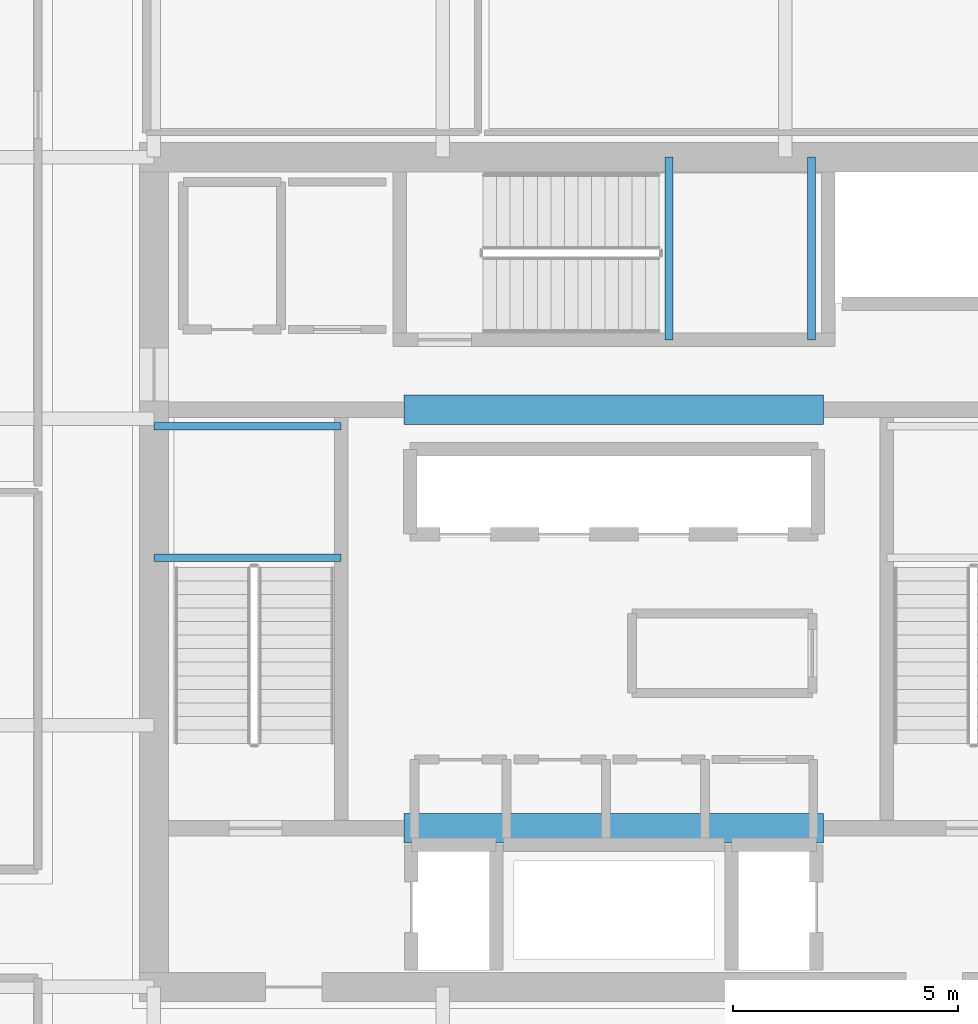
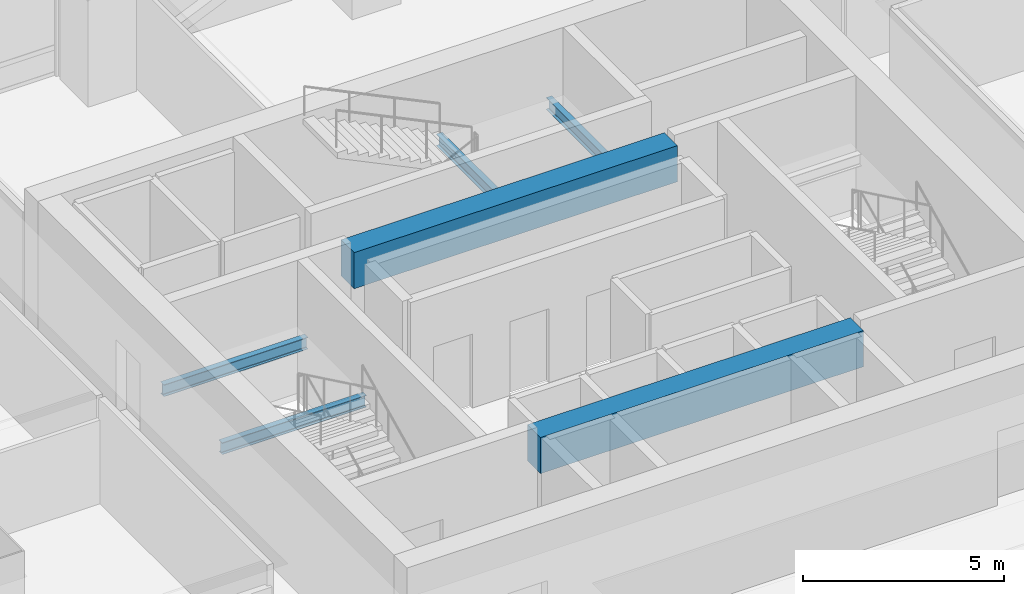
# One storey, part 11 of 38: 6 beams.
"""IFC4 building model written with IfcOpenShell, lengths in metres."""

from ifc_helpers import new_model, si_unit, direction, frame, origin, origin_2d, place, context, subcontext, project, spatial, rectangle, i_section, extrude, material, material_profile, profile_set, type_object, element, save


model = new_model("IFC4")

# Units and contexts
model_context = context("Model", 3, precision=1e-05, world=origin(), true_north=direction((0.0, 1.0)))
body_context = subcontext(model_context, "Body", "Model", "MODEL_VIEW")
ifc_project = project(units=[si_unit("LENGTHUNIT", "METRE"), si_unit("AREAUNIT", "SQUARE_METRE"), si_unit("VOLUMEUNIT", "CUBIC_METRE"), si_unit("PLANEANGLEUNIT", "RADIAN"), si_unit("MASSUNIT", "GRAM", prefix="KILO")], contexts=[model_context])

# Site, building, storey
site_placement = place(None, origin())
site = spatial("IfcSite", under=ifc_project, at=site_placement, CompositionType="ELEMENT")
building_placement = place(site_placement, origin())
building = spatial("IfcBuilding", under=site, at=building_placement, Name="Punatoya Terracotta Tower", CompositionType="ELEMENT")
storey_placement = place(building_placement, frame((0.0, 0.0, 188.39990234375)))
storey = spatial("IfcBuildingStorey", under=building, at=storey_placement, Name="L44", CompositionType="ELEMENT", Elevation=188.39990234375)

# Beams
ifc_material_1 = material(Name="Concrete C60/75", Category="concrete")
ifc_material_profile_1 = material_profile(ifc_material_1, rectangle(XDim=0.64990234375, YDim=1.10009765625, at=origin_2d()))
ifc_profile_set_1 = profile_set([ifc_material_profile_1], Name="Concrete C60/75")
beam_type_1 = type_object("IfcBeamType", Name="BM-RC-1100", PredefinedType="LINTEL", material=ifc_profile_set_1)
for number, where, z_axis, x_axis, name in (
    (1, (-4.64990234375, -5.679931640625, 3.280029296875), (1.0, 0.0, 0.0), (0.0, 1.0, 0.0), "L44 Core Coupling Lintel CSW"),
    (2, (-4.64990234375, 3.60009765625, 3.280029296875), (1.0, 0.0, 0.0), (0.0, 1.0, 0.0), "L44 Core Coupling Lintel CNW"),
):
    element("IfcBeam", number, at=place(storey_placement, frame(where, z_axis=z_axis, x_axis=x_axis)), inside=storey, type_object=beam_type_1, Name=name, PredefinedType="LINTEL", context=body_context, shape_type="SweptSolid", body=[
        extrude(rectangle(XDim=0.64990234375, YDim=1.10009765625, at=origin_2d()), origin(), (0.0, 0.0, 1.0), 9.2998046875),
    ])
ifc_material_2 = material(Name="Steel S355", Category="steel")
ifc_material_profile_2 = material_profile(ifc_material_2, i_section(OverallWidth=0.169921875, OverallDepth=0.360107421875, WebThickness=0.008056640625, FlangeThickness=0.0126953125, FilletRadius=0.01806640625, at=origin_2d()))
ifc_profile_set_2 = profile_set([ifc_material_profile_2], Name="Steel S355")
beam_type_2 = type_object("IfcBeamType", Name="BM-SEC-360", PredefinedType="JOIST", material=ifc_profile_set_2)
for number, where, z_axis, x_axis, name in (
    (3, (-10.199951171875, 0.320068359375, 1.64501953125), (1.0, 0.0, 0.0), (0.0, 1.0, 0.0), "BM-L44-ST-1-LD1A"),
    (4, (-10.199951171875, 3.22998046875, 1.64501953125), (1.0, 0.0, 0.0), (0.0, 1.0, 0.0), "BM-L44-ST-1-LD1B"),
):
    element("IfcBeam", number, at=place(storey_placement, frame(where, z_axis=z_axis, x_axis=x_axis)), inside=storey, type_object=beam_type_2, Name=name, PredefinedType="JOIST", context=body_context, shape_type="SweptSolid", body=[
        extrude(i_section(OverallWidth=0.169921875, OverallDepth=0.360107421875, WebThickness=0.008056640625, FlangeThickness=0.0126953125, FilletRadius=0.01806640625, at=origin_2d()), origin(), (0.0, 0.0, 1.0), 4.14990234375),
    ])
for number, where, z_axis, x_axis, name in (
    (5, (1.219970703125, 5.14990234375, 1.64501953125), (0.0, 1.0, 0.0), (-1.0, 0.0, 0.0), "BM-L44-ST-3-LD1A"),
    (6, (4.3798828125, 5.14990234375, 1.64501953125), (0.0, 1.0, 0.0), (-1.0, 0.0, 0.0), "BM-L44-ST-3-LD1B"),
):
    element("IfcBeam", number, at=place(storey_placement, frame(where, z_axis=z_axis, x_axis=x_axis)), inside=storey, type_object=beam_type_2, Name=name, PredefinedType="JOIST", context=body_context, shape_type="SweptSolid", body=[
        extrude(i_section(OverallWidth=0.169921875, OverallDepth=0.360107421875, WebThickness=0.008056640625, FlangeThickness=0.0126953125, FilletRadius=0.01806640625, at=origin_2d()), origin(), (0.0, 0.0, 1.0), 4.050048828125),
    ])

save(model, "model.ifc")
